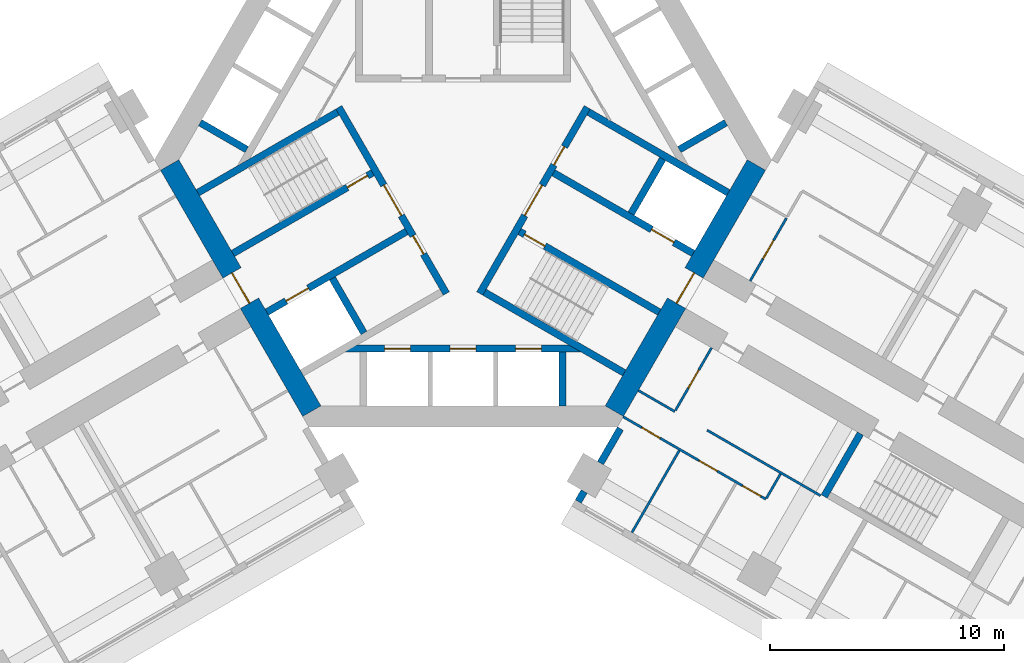
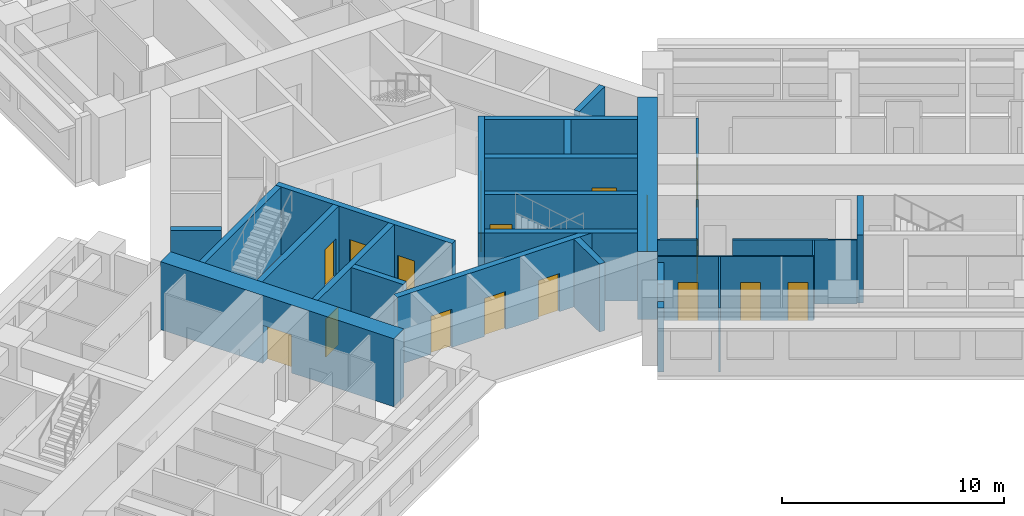
# One storey, part 7 of 16: 27 walls, 18 doors, 18 openings.
"""IFC4 building model written with IfcOpenShell, lengths in metres."""

from ifc_helpers import new_model, si_unit, direction, frame, frame_2d, origin, place, context, subcontext, project, spatial, rectangle, extrude, material, layer, layer_set, type_object, element, fill, save


model = new_model("IFC4")

# Units and contexts
model_context = context("Model", 3, precision=1e-05, world=origin(), true_north=direction((0.0, 1.0)))
body_context = subcontext(model_context, "Body", "Model", "MODEL_VIEW")
ifc_project = project(units=[si_unit("LENGTHUNIT", "METRE"), si_unit("AREAUNIT", "SQUARE_METRE"), si_unit("VOLUMEUNIT", "CUBIC_METRE"), si_unit("PLANEANGLEUNIT", "RADIAN"), si_unit("MASSUNIT", "GRAM", prefix="KILO")], contexts=[model_context])

# Site, building, storey
site_placement = place(None, origin())
site = spatial("IfcSite", under=ifc_project, at=site_placement, CompositionType="ELEMENT")
building_placement = place(site_placement, origin())
building = spatial("IfcBuilding", under=site, at=building_placement, Name="Impinga Residences", CompositionType="ELEMENT")
storey_placement = place(building_placement, frame((0.0, 0.0, 63.5)))
storey = spatial("IfcBuildingStorey", under=building, at=storey_placement, Name="L15", CompositionType="ELEMENT", Elevation=63.5)

# Walls
ifc_material_1 = material(Name="Terracotta rainscreen on blockwork", Category="masonry")
ifc_layer_1 = layer(ifc_material_1, 0.300048828125)
ifc_layer_set_1 = layer_set([ifc_layer_1], Name="EW1 external wall, terracotta rainscreen on blockwork 300")
wall_type_1 = type_object("IfcWallType", Name="EW1 external wall, terracotta rainscreen on blockwork 300", PredefinedType="SOLIDWALL", material=ifc_layer_set_1)
wall_1_placement = place(storey_placement, frame((4.929931640625, -14.624267578125, 0.0), z_axis=(0.0, 0.0, 1.0), x_axis=(0.499919672301, 0.866071776036, 0.0)))
element("IfcWall", 1, at=wall_1_placement, inside=storey, type_object=wall_type_1, Name="External wall EW1 L15", PredefinedType="SOLIDWALL", context=body_context, shape_type="SweptSolid", body=[
    extrude(rectangle(XDim=0.5, YDim=0.300048828125, at=frame_2d((0.25, 0.0))), origin(), (0.0, 0.0, 1.0), 3.530029296875),
])
wall_2_placement = place(storey_placement, frame((5.8798828125, -12.978759765625, 0.0), z_axis=(0.0, 0.0, 1.0), x_axis=(0.500062241894, 0.865989465428, 0.0)))
element("IfcWall", 2, at=wall_2_placement, inside=storey, type_object=wall_type_1, Name="External wall EW1 L15", PredefinedType="SOLIDWALL", context=body_context, shape_type="SweptSolid", body=[
    extrude(rectangle(XDim=1.699951171875, YDim=0.300048828125, at=frame_2d((0.85009765625, 0.0))), origin(), (0.0, 0.0, 1.0), 3.530029296875),
])

# Wall, opening, door
ifc_material_2 = material(Name="Gypsum board on steel studs", Category="steel")
ifc_layer_2 = layer(ifc_material_2, 0.10009765625)
ifc_layer_set_2 = layer_set([ifc_layer_2], Name="Gypsum board on steel studs")
wall_type_2 = type_object("IfcWallType", Name="IP1 partition 100", PredefinedType="PARTITIONING", material=ifc_layer_set_2)
wall_3_placement = place(storey_placement, frame((12.283935546875, -5.186767578125, 0.0), z_axis=(0.0, 0.0, 1.0), x_axis=(0.499967891604, 0.866043940782, 0.0)))
wall_3 = element("IfcWall", 3, at=wall_3_placement, inside=storey, type_object=wall_type_2, Name="Partition L15-EA1:IB1", PredefinedType="PARTITIONING", context=body_context, shape_type="SweptSolid", body=[
    extrude(rectangle(XDim=3.099853515625, YDim=0.10009765625, at=frame_2d((1.5498046875, 0.0))), origin(), (0.0, 0.0, 1.0), 3.530029296875),
])
opening_1_placement = place(wall_3_placement, frame((1.10009765625, 0.0, 0.0)))
opening_1 = element("IfcOpeningElement", 4, at=opening_1_placement, cuts=wall_3, Name="Opening D2", PredefinedType="OPENING", context=body_context, shape_type="SweptSolid", body=[
    extrude(rectangle(XDim=0.89990234375, YDim=2.10009765625, at=frame_2d((0.449951171875, 1.050048828125))), frame((0.0, 0.06005859375, 0.0), z_axis=(0.0, -1.0, 0.0), x_axis=(1.0, 0.0, 0.0)), (0.0, 0.0, 1.0), 0.1201171875),
])
ifc_material_3 = material(Name="Timber door set", Category="wood")
door_type_1 = type_object("IfcDoorType", Name="D2 internal door 900x2100", OperationType="SINGLE_SWING_LEFT", PredefinedType="DOOR", material=ifc_material_3)
door_1_placement = place(opening_1_placement, origin())
door_1 = element("IfcDoor", 5, at=door_1_placement, inside=storey, type_object=door_type_1, Name="Apartment L15-EA1 bathroom door", OperationType="SINGLE_SWING_LEFT", OverallHeight=2.10009765625, OverallWidth=0.89990234375, PredefinedType="DOOR", context=body_context, shape_type="SweptSolid", body=[
    extrude(rectangle(XDim=0.89990234375, YDim=2.10009765625, at=frame_2d((0.449951171875, 1.050048828125))), frame((0.0, 0.02490234375, 0.0), z_axis=(0.0, -1.0, 0.0), x_axis=(1.0, 0.0, 0.0)), (0.0, 0.0, 1.0), 0.050048828125),
])
fill(opening_1, door_1)

# Walls
wall_4_placement = place(storey_placement, frame((7.5, -9.872802734375, 0.0), z_axis=(0.0, 0.0, 1.0), x_axis=(0.866047807691, -0.499961193289, 0.0)))
element("IfcWall", 6, at=wall_4_placement, inside=storey, type_object=wall_type_2, Name="Partition L15-EF1:DIV0", PredefinedType="PARTITIONING", context=body_context, shape_type="SweptSolid", body=[
    extrude(rectangle(XDim=1.800048828125, YDim=0.10009765625, at=frame_2d((0.89990234375, 0.0))), origin(), (0.0, 0.0, 1.0), 3.530029296875),
])
wall_5_placement = place(storey_placement, frame((10.444580078125, -11.57275390625, 0.0), z_axis=(0.0, 0.0, 1.0), x_axis=(0.866015695474, -0.500016814911, 0.0)))
element("IfcWall", 7, at=wall_5_placement, inside=storey, type_object=wall_type_2, Name="Partition L15-EF1:DIV1", PredefinedType="PARTITIONING", context=body_context, shape_type="SweptSolid", body=[
    extrude(rectangle(XDim=5.599853515625, YDim=0.10009765625, at=frame_2d((2.7998046875, 0.0))), origin(), (0.0, 0.0, 1.0), 3.530029296875),
])

# Wall, openings, doors
wall_6_placement = place(storey_placement, frame((6.85009765625, -10.99853515625, 0.0), z_axis=(0.0, 0.0, 1.0), x_axis=(0.866031034943, -0.499990246421, 0.0)))
wall_6 = element("IfcWall", 8, at=wall_6_placement, inside=storey, type_object=wall_type_2, Name="Partition L15-EF1:STRIP", PredefinedType="PARTITIONING", context=body_context, shape_type="SweptSolid", body=[
    extrude(rectangle(XDim=7.050048828125, YDim=0.10009765625, at=frame_2d((3.52490234375, 0.0))), origin(), (0.0, 0.0, 1.0), 3.530029296875),
])
opening_2_placement = place(wall_6_placement, frame((0.925048828125, 0.0, 0.0)))
opening_2 = element("IfcOpeningElement", 9, at=opening_2_placement, cuts=wall_6, Name="Opening D2", PredefinedType="OPENING", context=body_context, shape_type="SweptSolid", body=[
    extrude(rectangle(XDim=0.89990234375, YDim=2.10009765625, at=frame_2d((0.449951171875, 1.050048828125))), frame((0.0, 0.06005859375, 0.0), z_axis=(0.0, -1.0, 0.0), x_axis=(1.0, 0.0, 0.0)), (0.0, 0.0, 1.0), 0.1201171875),
])
opening_3_placement = place(wall_6_placement, frame((3.75, 0.0, 0.0)))
opening_3 = element("IfcOpeningElement", 10, at=opening_3_placement, cuts=wall_6, Name="Opening D2", PredefinedType="OPENING", context=body_context, shape_type="SweptSolid", body=[
    extrude(rectangle(XDim=0.89990234375, YDim=2.10009765625, at=frame_2d((0.449951171875, 1.050048828125))), frame((0.0, 0.06005859375, 0.0), z_axis=(0.0, -1.0, 0.0), x_axis=(1.0, 0.0, 0.0)), (0.0, 0.0, 1.0), 0.1201171875),
])
opening_4_placement = place(wall_6_placement, frame((5.89990234375, 0.0, 0.0)))
opening_4 = element("IfcOpeningElement", 11, at=opening_4_placement, cuts=wall_6, Name="Opening D2", PredefinedType="OPENING", context=body_context, shape_type="SweptSolid", body=[
    extrude(rectangle(XDim=0.89990234375, YDim=2.10009765625, at=frame_2d((0.449951171875, 1.050048828125))), frame((0.0, 0.06005859375, 0.0), z_axis=(0.0, -1.0, 0.0), x_axis=(1.0, 0.0, 0.0)), (0.0, 0.0, 1.0), 0.1201171875),
])
door_2_placement = place(opening_2_placement, origin())
door_2 = element("IfcDoor", 12, at=door_2_placement, inside=storey, type_object=door_type_1, Name="Apartment L15-EF1 room door", OperationType="SINGLE_SWING_LEFT", OverallHeight=2.10009765625, OverallWidth=0.89990234375, PredefinedType="DOOR", context=body_context, shape_type="SweptSolid", body=[
    extrude(rectangle(XDim=0.89990234375, YDim=2.10009765625, at=frame_2d((0.449951171875, 1.050048828125))), frame((0.0, 0.02490234375, 0.0), z_axis=(0.0, -1.0, 0.0), x_axis=(1.0, 0.0, 0.0)), (0.0, 0.0, 1.0), 0.050048828125),
])
fill(opening_2, door_2)
door_3_placement = place(opening_3_placement, origin())
door_3 = element("IfcDoor", 13, at=door_3_placement, inside=storey, type_object=door_type_1, Name="Apartment L15-EF1 room door", OperationType="SINGLE_SWING_RIGHT", OverallHeight=2.10009765625, OverallWidth=0.89990234375, PredefinedType="DOOR", context=body_context, shape_type="SweptSolid", body=[
    extrude(rectangle(XDim=0.89990234375, YDim=2.10009765625, at=frame_2d((0.449951171875, 1.050048828125))), frame((0.0, 0.02490234375, 0.0), z_axis=(0.0, -1.0, 0.0), x_axis=(1.0, 0.0, 0.0)), (0.0, 0.0, 1.0), 0.050048828125),
])
fill(opening_3, door_3)
door_4_placement = place(opening_4_placement, origin())
door_4 = element("IfcDoor", 14, at=door_4_placement, inside=storey, type_object=door_type_1, Name="Apartment L15-EF1 room door", OperationType="SINGLE_SWING_RIGHT", OverallHeight=2.10009765625, OverallWidth=0.89990234375, PredefinedType="DOOR", context=body_context, shape_type="SweptSolid", body=[
    extrude(rectangle(XDim=0.89990234375, YDim=2.10009765625, at=frame_2d((0.449951171875, 1.050048828125))), frame((0.0, 0.02490234375, 0.0), z_axis=(0.0, -1.0, 0.0), x_axis=(1.0, 0.0, 0.0)), (0.0, 0.0, 1.0), 0.050048828125),
])
fill(opening_4, door_4)

# Wall
wall_7_placement = place(storey_placement, frame((13.58056640625, -13.44091796875, 0.0), z_axis=(0.0, 0.0, 1.0), x_axis=(-0.500033551112, -0.866006032174, 0.0)))
element("IfcWall", 15, at=wall_7_placement, inside=storey, type_object=wall_type_2, Name="Partition L15-EF1:SE1", PredefinedType="PARTITIONING", context=body_context, shape_type="SweptSolid", body=[
    extrude(rectangle(XDim=1.2001953125, YDim=0.10009765625, at=frame_2d((0.60009765625, 0.0))), origin(), (0.0, 0.0, 1.0), 3.530029296875),
])

# Wall, opening, door
wall_8_placement = place(storey_placement, frame((10.6337890625, -8.044677734375, 0.0), z_axis=(0.0, 0.0, 1.0), x_axis=(-0.49999285859, -0.86602952684, 0.0)))
wall_8 = element("IfcWall", 16, at=wall_8_placement, inside=storey, type_object=wall_type_2, Name="Partition L15-EF1:IB1", PredefinedType="PARTITIONING", context=body_context, shape_type="SweptSolid", body=[
    extrude(rectangle(XDim=3.10009765625, YDim=0.10009765625, at=frame_2d((1.550048828125, 0.0))), origin(), (0.0, 0.0, 1.0), 3.530029296875),
])
opening_5_placement = place(wall_8_placement, frame((1.10009765625, 0.0, 0.0)))
opening_5 = element("IfcOpeningElement", 17, at=opening_5_placement, cuts=wall_8, Name="Opening D2", PredefinedType="OPENING", context=body_context, shape_type="SweptSolid", body=[
    extrude(rectangle(XDim=0.89990234375, YDim=2.10009765625, at=frame_2d((0.449951171875, 1.050048828125))), frame((0.0, 0.06005859375, 0.0), z_axis=(0.0, -1.0, 0.0), x_axis=(1.0, 0.0, 0.0)), (0.0, 0.0, 1.0), 0.1201171875),
])
door_5_placement = place(opening_5_placement, origin())
door_5 = element("IfcDoor", 18, at=door_5_placement, inside=storey, type_object=door_type_1, Name="Apartment L15-EF1 bathroom door", OperationType="SINGLE_SWING_LEFT", OverallHeight=2.10009765625, OverallWidth=0.89990234375, PredefinedType="DOOR", context=body_context, shape_type="SweptSolid", body=[
    extrude(rectangle(XDim=0.89990234375, YDim=2.10009765625, at=frame_2d((0.449951171875, 1.050048828125))), frame((0.0, 0.02490234375, 0.0), z_axis=(0.0, -1.0, 0.0), x_axis=(1.0, 0.0, 0.0)), (0.0, 0.0, 1.0), 0.050048828125),
])
fill(opening_5, door_5)

# Walls
wall_9_placement = place(storey_placement, frame((9.249755859375, -12.44189453125, 0.0), z_axis=(0.0, 0.0, 1.0), x_axis=(-0.499990325971, -0.866030989016, 0.0)))
element("IfcWall", 19, at=wall_9_placement, inside=storey, type_object=wall_type_2, Name="Partition L15-EF1:OB1", PredefinedType="PARTITIONING", context=body_context, shape_type="SweptSolid", body=[
    extrude(rectangle(XDim=4.0498046875, YDim=0.10009765625, at=frame_2d((2.02490234375, 0.0))), origin(), (0.0, 0.0, 1.0), 3.530029296875),
])
ifc_material_4 = material(Name="Concrete C60/75", Category="concrete")
ifc_layer_3 = layer(ifc_material_4, 0.300048828125)
ifc_layer_set_3 = layer_set([ifc_layer_3], Name="Concrete C60/75")
wall_type_3 = type_object("IfcWallType", Name="SE1 wing stair enclosure wall 300", PredefinedType="SOLIDWALL", material=ifc_layer_set_3)
wall_10_placement = place(storey_placement, frame((16.9990234375, -11.7197265625, 0.0), z_axis=(0.0, 0.0, 1.0), x_axis=(-0.499967891604, -0.866043940782, 0.0)))
element("IfcWall", 20, at=wall_10_placement, inside=storey, type_object=wall_type_3, Name="Stair enclosure wall SE1 E END0 L15", PredefinedType="SOLIDWALL", context=body_context, shape_type="SweptSolid", body=[
    extrude(rectangle(XDim=3.099853515625, YDim=0.300048828125, at=frame_2d((1.5498046875, 0.0))), origin(), (0.0, 0.0, 1.0), 3.75),
])

# Wall, opening, door
ifc_material_5 = material(Name="Concrete C70/85", Category="concrete")
ifc_layer_4 = layer(ifc_material_5, 0.89990234375)
ifc_layer_set_4 = layer_set([ifc_layer_4], Name="Concrete C70/85")
wall_type_4 = type_object("IfcWallType", Name="SW1 core wall 900", PredefinedType="SHEAR", material=ifc_layer_set_4)
wall_11_placement = place(storey_placement, frame((-6.47021484375, -10.756591796875, 0.0), z_axis=(0.0, 0.0, 1.0), x_axis=(-0.499997612506, 0.8660267822, 0.0)))
wall_11 = element("IfcWall", 21, at=wall_11_placement, inside=storey, type_object=wall_type_4, Name="Core wall SW1 W:FACE L15", PredefinedType="SHEAR", context=body_context, shape_type="SweptSolid", body=[
    extrude(rectangle(XDim=12.16064453125, YDim=0.89990234375, at=frame_2d((6.080322265625, 0.0))), origin(), (0.0, 0.0, 1.0), 3.75),
])
opening_6_placement = place(wall_11_placement, frame((5.330322265625, 0.0, 0.0)))
opening_6 = element("IfcOpeningElement", 22, at=opening_6_placement, cuts=wall_11, Name="Opening D4", PredefinedType="OPENING", context=body_context, shape_type="SweptSolid", body=[
    extrude(rectangle(XDim=1.5, YDim=2.10009765625, at=frame_2d((0.75, 1.050048828125))), frame((0.0, 0.4599609375, 0.0), z_axis=(0.0, -1.0, 0.0), x_axis=(1.0, 0.0, 0.0)), (0.0, 0.0, 1.0), 0.919921875),
])
door_type_2 = type_object("IfcDoorType", Name="D4 lobby door pair 1500x2100", OperationType="DOUBLE_DOOR_DOUBLE_SWING", PredefinedType="DOOR", material=ifc_material_3)
door_6_placement = place(opening_6_placement, origin())
door_6 = element("IfcDoor", 23, at=door_6_placement, inside=storey, type_object=door_type_2, Name="Lobby door W", OperationType="DOUBLE_DOOR_DOUBLE_SWING", OverallHeight=2.10009765625, OverallWidth=1.5, PredefinedType="DOOR", context=body_context, shape_type="SweptSolid", body=[
    extrude(rectangle(XDim=1.5, YDim=2.10009765625, at=frame_2d((0.75, 1.050048828125))), frame((0.0, 0.02490234375, 0.0), z_axis=(0.0, -1.0, 0.0), x_axis=(1.0, 0.0, 0.0)), (0.0, 0.0, 1.0), 0.050048828125),
])
fill(opening_6, door_6)

wall_12_placement = place(storey_placement, frame((12.550537109375, -0.22509765625, 0.0), z_axis=(0.0, 0.0, 1.0), x_axis=(-0.499997612506, -0.8660267822, 0.0)))
wall_12 = element("IfcWall", 24, at=wall_12_placement, inside=storey, type_object=wall_type_4, Name="Core wall SW1 E:FACE L15", PredefinedType="SHEAR", context=body_context, shape_type="SweptSolid", body=[
    extrude(rectangle(XDim=12.16064453125, YDim=0.89990234375, at=frame_2d((6.080322265625, 0.0))), origin(), (0.0, 0.0, 1.0), 3.75),
])
opening_7_placement = place(wall_12_placement, frame((5.330322265625, 0.0, 0.0)))
opening_7 = element("IfcOpeningElement", 25, at=opening_7_placement, cuts=wall_12, Name="Opening D4", PredefinedType="OPENING", context=body_context, shape_type="SweptSolid", body=[
    extrude(rectangle(XDim=1.5, YDim=2.10009765625, at=frame_2d((0.75, 1.050048828125))), frame((0.0, 0.4599609375, 0.0), z_axis=(0.0, -1.0, 0.0), x_axis=(1.0, 0.0, 0.0)), (0.0, 0.0, 1.0), 0.919921875),
])
door_7_placement = place(opening_7_placement, origin())
door_7 = element("IfcDoor", 26, at=door_7_placement, inside=storey, type_object=door_type_2, Name="Lobby door E", OperationType="DOUBLE_DOOR_DOUBLE_SWING", OverallHeight=2.10009765625, OverallWidth=1.5, PredefinedType="DOOR", context=body_context, shape_type="SweptSolid", body=[
    extrude(rectangle(XDim=1.5, YDim=2.10009765625, at=frame_2d((0.75, 1.050048828125))), frame((0.0, 0.02490234375, 0.0), z_axis=(0.0, -1.0, 0.0), x_axis=(1.0, 0.0, 0.0)), (0.0, 0.0, 1.0), 0.050048828125),
])
fill(opening_7, door_7)

# Wall, openings, doors
ifc_layer_5 = layer(ifc_material_5, 0.300048828125)
ifc_layer_set_5 = layer_set([ifc_layer_5], Name="Concrete C70/85")
wall_type_5 = type_object("IfcWallType", Name="SW5 core inner wall, stairs, shafts and lobbies 300", PredefinedType="SHEAR", material=ifc_layer_set_5)
wall_13_placement = place(storey_placement, frame((-0.7138671875, -5.7236328125, 0.0), z_axis=(0.0, 0.0, 1.0), x_axis=(-0.499995050369, 0.866028261437, 0.0)))
wall_13 = element("IfcWall", 27, at=wall_13_placement, inside=storey, type_object=wall_type_5, Name="Core wall SW5 W:ZONE L15", PredefinedType="SHEAR", context=body_context, shape_type="SweptSolid", body=[
    extrude(rectangle(XDim=9.19970703125, YDim=0.300048828125, at=frame_2d((4.599853515625, 0.0))), origin(), (0.0, 0.0, 1.0), 3.75),
])
opening_8_placement = place(wall_13_placement, frame((3.85009765625, 0.0, 0.0)))
opening_8 = element("IfcOpeningElement", 28, at=opening_8_placement, cuts=wall_13, Name="Opening D4", PredefinedType="OPENING", context=body_context, shape_type="SweptSolid", body=[
    extrude(rectangle(XDim=1.5, YDim=2.10009765625, at=frame_2d((0.75, 1.050048828125))), frame((0.0, 0.159912109375, 0.0), z_axis=(0.0, -1.0, 0.0), x_axis=(1.0, 0.0, 0.0)), (0.0, 0.0, 1.0), 0.320068359375),
])
opening_9_placement = place(wall_13_placement, frame((1.949951171875, 0.0, 0.0)))
opening_9 = element("IfcOpeningElement", 29, at=opening_9_placement, cuts=wall_13, Name="Opening D6", PredefinedType="OPENING", context=body_context, shape_type="SweptSolid", body=[
    extrude(rectangle(XDim=0.89990234375, YDim=2.10009765625, at=frame_2d((0.449951171875, 1.050048828125))), frame((0.0, 0.159912109375, 0.0), z_axis=(0.0, -1.0, 0.0), x_axis=(1.0, 0.0, 0.0)), (0.0, 0.0, 1.0), 0.320068359375),
])
door_8_placement = place(opening_8_placement, origin())
door_8 = element("IfcDoor", 30, at=door_8_placement, inside=storey, type_object=door_type_2, Name="Firefighting lobby door W", OperationType="DOUBLE_DOOR_DOUBLE_SWING", OverallHeight=2.10009765625, OverallWidth=1.5, PredefinedType="DOOR", context=body_context, shape_type="SweptSolid", body=[
    extrude(rectangle(XDim=1.5, YDim=2.10009765625, at=frame_2d((0.75, 1.050048828125))), frame((0.0, 0.02490234375, 0.0), z_axis=(0.0, -1.0, 0.0), x_axis=(1.0, 0.0, 0.0)), (0.0, 0.0, 1.0), 0.050048828125),
])
fill(opening_8, door_8)
door_type_3 = type_object("IfcDoorType", Name="D6 riser and store door 900x2100", OperationType="SINGLE_SWING_LEFT", PredefinedType="DOOR", material=ifc_material_3)
door_9_placement = place(opening_9_placement, origin())
door_9 = element("IfcDoor", 31, at=door_9_placement, inside=storey, type_object=door_type_3, Name="Riser door W", OperationType="SINGLE_SWING_LEFT", OverallHeight=2.10009765625, OverallWidth=0.89990234375, PredefinedType="DOOR", context=body_context, shape_type="SweptSolid", body=[
    extrude(rectangle(XDim=0.89990234375, YDim=2.10009765625, at=frame_2d((0.449951171875, 1.050048828125))), frame((0.0, 0.02490234375, 0.0), z_axis=(0.0, -1.0, 0.0), x_axis=(1.0, 0.0, 0.0)), (0.0, 0.0, 1.0), 0.050048828125),
])
fill(opening_9, door_9)

# Wall, opening, door
wall_14_placement = place(storey_placement, frame((-3.86865234375, -0.559326171875, 0.0), z_axis=(0.0, 0.0, 1.0), x_axis=(-0.86602711848, -0.499997030048, 0.0)))
wall_14 = element("IfcWall", 32, at=wall_14_placement, inside=storey, type_object=wall_type_5, Name="Core wall SW5 W:ST-IN L15", PredefinedType="SHEAR", context=body_context, shape_type="SweptSolid", body=[
    extrude(rectangle(XDim=6.9013671875, YDim=0.300048828125, at=frame_2d((3.45068359375, 0.0))), origin(), (0.0, 0.0, 1.0), 3.75),
])
opening_10_placement = place(wall_14_placement, frame((0.25, 0.0, 0.0)))
opening_10 = element("IfcOpeningElement", 33, at=opening_10_placement, cuts=wall_14, Name="Opening D5", PredefinedType="OPENING", context=body_context, shape_type="SweptSolid", body=[
    extrude(rectangle(XDim=1.0, YDim=2.10009765625, at=frame_2d((0.5, 1.050048828125))), frame((0.0, 0.159912109375, 0.0), z_axis=(0.0, -1.0, 0.0), x_axis=(1.0, 0.0, 0.0)), (0.0, 0.0, 1.0), 0.320068359375),
])
door_type_4 = type_object("IfcDoorType", Name="D5 stair door 1000x2100", OperationType="SINGLE_SWING_LEFT", PredefinedType="DOOR", material=ifc_material_3)
door_10_placement = place(opening_10_placement, origin())
door_10 = element("IfcDoor", 34, at=door_10_placement, inside=storey, type_object=door_type_4, Name="Stair door W", OperationType="SINGLE_SWING_LEFT", OverallHeight=2.10009765625, OverallWidth=1.0, PredefinedType="DOOR", context=body_context, shape_type="SweptSolid", body=[
    extrude(rectangle(XDim=1.0, YDim=2.10009765625, at=frame_2d((0.5, 1.050048828125))), frame((0.0, 0.02490234375, 0.0), z_axis=(0.0, -1.0, 0.0), x_axis=(1.0, 0.0, 0.0)), (0.0, 0.0, 1.0), 0.050048828125),
])
fill(opening_10, door_10)

# Wall
wall_15_placement = place(storey_placement, frame((-5.36865234375, 2.038818359375, 0.0), z_axis=(0.0, 0.0, 1.0), x_axis=(-0.86602711848, -0.499997030048, 0.0)))
element("IfcWall", 35, at=wall_15_placement, inside=storey, type_object=wall_type_5, Name="Core wall SW5 W:ST-OUT L15", PredefinedType="SHEAR", context=body_context, shape_type="SweptSolid", body=[
    extrude(rectangle(XDim=6.9013671875, YDim=0.300048828125, at=frame_2d((3.45068359375, 0.0))), origin(), (0.0, 0.0, 1.0), 3.75),
])

# Wall, opening, door
wall_16_placement = place(storey_placement, frame((-2.418701171875, -3.07080078125, 0.0), z_axis=(0.0, 0.0, 1.0), x_axis=(-0.86602711848, -0.499997030048, 0.0)))
wall_16 = element("IfcWall", 36, at=wall_16_placement, inside=storey, type_object=wall_type_5, Name="Core wall SW5 W:FF-IN L15", PredefinedType="SHEAR", context=body_context, shape_type="SweptSolid", body=[
    extrude(rectangle(XDim=6.9013671875, YDim=0.300048828125, at=frame_2d((3.45068359375, 0.0))), origin(), (0.0, 0.0, 1.0), 3.75),
])
opening_11_placement = place(wall_16_placement, frame((4.85009765625, 0.0, 0.0)))
opening_11 = element("IfcOpeningElement", 37, at=opening_11_placement, cuts=wall_16, Name="Opening LD2", PredefinedType="OPENING", context=body_context, shape_type="SweptSolid", body=[
    extrude(rectangle(XDim=1.10009765625, YDim=2.10009765625, at=frame_2d((0.550048828125, 1.050048828125))), frame((0.0, 0.159912109375, 0.0), z_axis=(0.0, -1.0, 0.0), x_axis=(1.0, 0.0, 0.0)), (0.0, 0.0, 1.0), 0.320068359375),
])
ifc_material_6 = material(Name="Steel lift landing door", Category="steel")
door_type_5 = type_object("IfcDoorType", Name="LD2 firefighting lift landing door 1100x2100", OperationType="DOUBLE_DOOR_SLIDING", PredefinedType="DOOR", material=ifc_material_6)
door_11_placement = place(opening_11_placement, origin())
door_11 = element("IfcDoor", 38, at=door_11_placement, inside=storey, type_object=door_type_5, Name="Firefighting lift landing door F2", OperationType="DOUBLE_DOOR_SLIDING", OverallHeight=2.10009765625, OverallWidth=1.10009765625, PredefinedType="DOOR", context=body_context, shape_type="SweptSolid", body=[
    extrude(rectangle(XDim=1.10009765625, YDim=2.10009765625, at=frame_2d((0.550048828125, 1.050048828125))), frame((0.0, 0.02490234375, 0.0), z_axis=(0.0, -1.0, 0.0), x_axis=(1.0, 0.0, 0.0)), (0.0, 0.0, 1.0), 0.050048828125),
])
fill(opening_11, door_11)

# Wall
wall_17_placement = place(storey_placement, frame((-4.2412109375, -7.413818359375, 0.0), z_axis=(0.0, 0.0, 1.0), x_axis=(-0.500048589285, 0.86599734893, 0.0)))
element("IfcWall", 39, at=wall_17_placement, inside=storey, type_object=wall_type_5, Name="Core wall SW5 W:FF-RS L15", PredefinedType="SHEAR", context=body_context, shape_type="SweptSolid", body=[
    extrude(rectangle(XDim=2.699951171875, YDim=0.300048828125, at=frame_2d((1.35009765625, 0.0))), origin(), (0.0, 0.0, 1.0), 3.75),
])

# Wall, openings, doors
wall_18_placement = place(storey_placement, frame((5.313720703125, 2.24365234375, 0.0), z_axis=(0.0, 0.0, 1.0), x_axis=(-0.499995050369, -0.866028261437, 0.0)))
wall_18 = element("IfcWall", 40, at=wall_18_placement, inside=storey, type_object=wall_type_5, Name="Core wall SW5 E:ZONE L15", PredefinedType="SHEAR", context=body_context, shape_type="SweptSolid", body=[
    extrude(rectangle(XDim=9.19970703125, YDim=0.300048828125, at=frame_2d((4.599853515625, 0.0))), origin(), (0.0, 0.0, 1.0), 3.75),
])
opening_12_placement = place(wall_18_placement, frame((3.85009765625, 0.0, 0.0)))
opening_12 = element("IfcOpeningElement", 41, at=opening_12_placement, cuts=wall_18, Name="Opening D4", PredefinedType="OPENING", context=body_context, shape_type="SweptSolid", body=[
    extrude(rectangle(XDim=1.5, YDim=2.10009765625, at=frame_2d((0.75, 1.050048828125))), frame((0.0, 0.159912109375, 0.0), z_axis=(0.0, -1.0, 0.0), x_axis=(1.0, 0.0, 0.0)), (0.0, 0.0, 1.0), 0.320068359375),
])
opening_13_placement = place(wall_18_placement, frame((1.949951171875, 0.0, 0.0)))
opening_13 = element("IfcOpeningElement", 42, at=opening_13_placement, cuts=wall_18, Name="Opening D6", PredefinedType="OPENING", context=body_context, shape_type="SweptSolid", body=[
    extrude(rectangle(XDim=0.89990234375, YDim=2.10009765625, at=frame_2d((0.449951171875, 1.050048828125))), frame((0.0, 0.159912109375, 0.0), z_axis=(0.0, -1.0, 0.0), x_axis=(1.0, 0.0, 0.0)), (0.0, 0.0, 1.0), 0.320068359375),
])
door_12_placement = place(opening_12_placement, origin())
door_12 = element("IfcDoor", 43, at=door_12_placement, inside=storey, type_object=door_type_2, Name="Firefighting lobby door E", OperationType="DOUBLE_DOOR_DOUBLE_SWING", OverallHeight=2.10009765625, OverallWidth=1.5, PredefinedType="DOOR", context=body_context, shape_type="SweptSolid", body=[
    extrude(rectangle(XDim=1.5, YDim=2.10009765625, at=frame_2d((0.75, 1.050048828125))), frame((0.0, 0.02490234375, 0.0), z_axis=(0.0, -1.0, 0.0), x_axis=(1.0, 0.0, 0.0)), (0.0, 0.0, 1.0), 0.050048828125),
])
fill(opening_12, door_12)
door_13_placement = place(opening_13_placement, origin())
door_13 = element("IfcDoor", 44, at=door_13_placement, inside=storey, type_object=door_type_3, Name="Riser door E", OperationType="SINGLE_SWING_LEFT", OverallHeight=2.10009765625, OverallWidth=0.89990234375, PredefinedType="DOOR", context=body_context, shape_type="SweptSolid", body=[
    extrude(rectangle(XDim=0.89990234375, YDim=2.10009765625, at=frame_2d((0.449951171875, 1.050048828125))), frame((0.0, 0.02490234375, 0.0), z_axis=(0.0, -1.0, 0.0), x_axis=(1.0, 0.0, 0.0)), (0.0, 0.0, 1.0), 0.050048828125),
])
fill(opening_13, door_13)

# Wall, opening, door
wall_19_placement = place(storey_placement, frame((2.418701171875, -3.07080078125, 0.0), z_axis=(0.0, 0.0, 1.0), x_axis=(0.86602711848, -0.499997030048, 0.0)))
wall_19 = element("IfcWall", 45, at=wall_19_placement, inside=storey, type_object=wall_type_5, Name="Core wall SW5 E:ST-IN L15", PredefinedType="SHEAR", context=body_context, shape_type="SweptSolid", body=[
    extrude(rectangle(XDim=6.9013671875, YDim=0.300048828125, at=frame_2d((3.45068359375, 0.0))), origin(), (0.0, 0.0, 1.0), 3.75),
])
opening_14_placement = place(wall_19_placement, frame((0.25, 0.0, 0.0)))
opening_14 = element("IfcOpeningElement", 46, at=opening_14_placement, cuts=wall_19, Name="Opening D5", PredefinedType="OPENING", context=body_context, shape_type="SweptSolid", body=[
    extrude(rectangle(XDim=1.0, YDim=2.10009765625, at=frame_2d((0.5, 1.050048828125))), frame((0.0, 0.159912109375, 0.0), z_axis=(0.0, -1.0, 0.0), x_axis=(1.0, 0.0, 0.0)), (0.0, 0.0, 1.0), 0.320068359375),
])
door_14_placement = place(opening_14_placement, origin())
door_14 = element("IfcDoor", 47, at=door_14_placement, inside=storey, type_object=door_type_4, Name="Stair door E", OperationType="SINGLE_SWING_LEFT", OverallHeight=2.10009765625, OverallWidth=1.0, PredefinedType="DOOR", context=body_context, shape_type="SweptSolid", body=[
    extrude(rectangle(XDim=1.0, YDim=2.10009765625, at=frame_2d((0.5, 1.050048828125))), frame((0.0, 0.02490234375, 0.0), z_axis=(0.0, -1.0, 0.0), x_axis=(1.0, 0.0, 0.0)), (0.0, 0.0, 1.0), 0.050048828125),
])
fill(opening_14, door_14)

# Wall
wall_20_placement = place(storey_placement, frame((0.918701171875, -5.668701171875, 0.0), z_axis=(0.0, 0.0, 1.0), x_axis=(0.866011800373, -0.500023561059, 0.0)))
element("IfcWall", 48, at=wall_20_placement, inside=storey, type_object=wall_type_5, Name="Core wall SW5 E:ST-OUT L15", PredefinedType="SHEAR", context=body_context, shape_type="SweptSolid", body=[
    extrude(rectangle(XDim=6.901611328125, YDim=0.300048828125, at=frame_2d((3.45068359375, 0.0))), origin(), (0.0, 0.0, 1.0), 3.75),
])

# Wall, opening, door
wall_21_placement = place(storey_placement, frame((3.86865234375, -0.559326171875, 0.0), z_axis=(0.0, 0.0, 1.0), x_axis=(0.86602711848, -0.499997030048, 0.0)))
wall_21 = element("IfcWall", 49, at=wall_21_placement, inside=storey, type_object=wall_type_5, Name="Core wall SW5 E:FF-IN L15", PredefinedType="SHEAR", context=body_context, shape_type="SweptSolid", body=[
    extrude(rectangle(XDim=6.9013671875, YDim=0.300048828125, at=frame_2d((3.45068359375, 0.0))), origin(), (0.0, 0.0, 1.0), 3.75),
])
opening_15_placement = place(wall_21_placement, frame((4.85009765625, 0.0, 0.0)))
opening_15 = element("IfcOpeningElement", 50, at=opening_15_placement, cuts=wall_21, Name="Opening LD2", PredefinedType="OPENING", context=body_context, shape_type="SweptSolid", body=[
    extrude(rectangle(XDim=1.10009765625, YDim=2.10009765625, at=frame_2d((0.550048828125, 1.050048828125))), frame((0.0, 0.159912109375, 0.0), z_axis=(0.0, -1.0, 0.0), x_axis=(1.0, 0.0, 0.0)), (0.0, 0.0, 1.0), 0.320068359375),
])
door_15_placement = place(opening_15_placement, origin())
door_15 = element("IfcDoor", 51, at=door_15_placement, inside=storey, type_object=door_type_5, Name="Firefighting lift landing door F3", OperationType="DOUBLE_DOOR_SLIDING", OverallHeight=2.10009765625, OverallWidth=1.10009765625, PredefinedType="DOOR", context=body_context, shape_type="SweptSolid", body=[
    extrude(rectangle(XDim=1.10009765625, YDim=2.10009765625, at=frame_2d((0.550048828125, 1.050048828125))), frame((0.0, 0.02490234375, 0.0), z_axis=(0.0, -1.0, 0.0), x_axis=(1.0, 0.0, 0.0)), (0.0, 0.0, 1.0), 0.050048828125),
])
fill(opening_15, door_15)

# Walls
wall_22_placement = place(storey_placement, frame((5.36865234375, 2.038818359375, 0.0), z_axis=(0.0, 0.0, 1.0), x_axis=(0.86602711848, -0.499997030048, 0.0)))
element("IfcWall", 52, at=wall_22_placement, inside=storey, type_object=wall_type_5, Name="Core wall SW5 E:FF-OUT L15", PredefinedType="SHEAR", context=body_context, shape_type="SweptSolid", body=[
    extrude(rectangle(XDim=6.9013671875, YDim=0.300048828125, at=frame_2d((3.45068359375, 0.0))), origin(), (0.0, 0.0, 1.0), 3.75),
])
wall_23_placement = place(storey_placement, frame((8.541259765625, 0.033935546875, 0.0), z_axis=(0.0, 0.0, 1.0), x_axis=(-0.50000943426, -0.866019956843, 0.0)))
element("IfcWall", 53, at=wall_23_placement, inside=storey, type_object=wall_type_5, Name="Core wall SW5 E:FF-RS L15", PredefinedType="SHEAR", context=body_context, shape_type="SweptSolid", body=[
    extrude(rectangle(XDim=2.7001953125, YDim=0.300048828125, at=frame_2d((1.35009765625, 0.0))), origin(), (0.0, 0.0, 1.0), 3.75),
])

# Wall, openings, doors
wall_24_placement = place(storey_placement, frame((5.09765625, -8.08154296875, 0.0), z_axis=(0.0, 0.0, 1.0), x_axis=(-1.0, 0.0, 0.0)))
wall_24 = element("IfcWall", 54, at=wall_24_placement, inside=storey, type_object=wall_type_5, Name="Core wall SW5 N:BANK-FRONT L15", PredefinedType="SHEAR", context=body_context, shape_type="SweptSolid", body=[
    extrude(rectangle(XDim=10.1953125, YDim=0.300048828125, at=frame_2d((5.09765625, 0.0))), origin(), (0.0, 0.0, 1.0), 3.75),
])
opening_16_placement = place(wall_24_placement, frame((1.74755859375, 0.0, 0.0)))
opening_16 = element("IfcOpeningElement", 55, at=opening_16_placement, cuts=wall_24, Name="Opening LD1", PredefinedType="OPENING", context=body_context, shape_type="SweptSolid", body=[
    extrude(rectangle(XDim=1.10009765625, YDim=2.10009765625, at=frame_2d((0.550048828125, 1.050048828125))), frame((0.0, 0.159912109375, 0.0), z_axis=(0.0, -1.0, 0.0), x_axis=(1.0, 0.0, 0.0)), (0.0, 0.0, 1.0), 0.320068359375),
])
opening_17_placement = place(wall_24_placement, frame((4.547607421875, 0.0, 0.0)))
opening_17 = element("IfcOpeningElement", 56, at=opening_17_placement, cuts=wall_24, Name="Opening LD1", PredefinedType="OPENING", context=body_context, shape_type="SweptSolid", body=[
    extrude(rectangle(XDim=1.10009765625, YDim=2.10009765625, at=frame_2d((0.550048828125, 1.050048828125))), frame((0.0, 0.159912109375, 0.0), z_axis=(0.0, -1.0, 0.0), x_axis=(1.0, 0.0, 0.0)), (0.0, 0.0, 1.0), 0.320068359375),
])
opening_18_placement = place(wall_24_placement, frame((7.34765625, 0.0, 0.0)))
opening_18 = element("IfcOpeningElement", 57, at=opening_18_placement, cuts=wall_24, Name="Opening LD1", PredefinedType="OPENING", context=body_context, shape_type="SweptSolid", body=[
    extrude(rectangle(XDim=1.10009765625, YDim=2.10009765625, at=frame_2d((0.550048828125, 1.050048828125))), frame((0.0, 0.159912109375, 0.0), z_axis=(0.0, -1.0, 0.0), x_axis=(1.0, 0.0, 0.0)), (0.0, 0.0, 1.0), 0.320068359375),
])
door_type_6 = type_object("IfcDoorType", Name="LD1 passenger lift landing door 1100x2100", OperationType="DOUBLE_DOOR_SLIDING", PredefinedType="DOOR", material=ifc_material_6)
door_16_placement = place(opening_16_placement, origin())
door_16 = element("IfcDoor", 58, at=door_16_placement, inside=storey, type_object=door_type_6, Name="Lift landing door P1", OperationType="DOUBLE_DOOR_SLIDING", OverallHeight=2.10009765625, OverallWidth=1.10009765625, PredefinedType="DOOR", context=body_context, shape_type="SweptSolid", body=[
    extrude(rectangle(XDim=1.10009765625, YDim=2.10009765625, at=frame_2d((0.550048828125, 1.050048828125))), frame((0.0, 0.02490234375, 0.0), z_axis=(0.0, -1.0, 0.0), x_axis=(1.0, 0.0, 0.0)), (0.0, 0.0, 1.0), 0.050048828125),
])
fill(opening_16, door_16)
door_17_placement = place(opening_17_placement, origin())
door_17 = element("IfcDoor", 59, at=door_17_placement, inside=storey, type_object=door_type_6, Name="Lift landing door P2", OperationType="DOUBLE_DOOR_SLIDING", OverallHeight=2.10009765625, OverallWidth=1.10009765625, PredefinedType="DOOR", context=body_context, shape_type="SweptSolid", body=[
    extrude(rectangle(XDim=1.10009765625, YDim=2.10009765625, at=frame_2d((0.550048828125, 1.050048828125))), frame((0.0, 0.02490234375, 0.0), z_axis=(0.0, -1.0, 0.0), x_axis=(1.0, 0.0, 0.0)), (0.0, 0.0, 1.0), 0.050048828125),
])
fill(opening_17, door_17)
door_18_placement = place(opening_18_placement, origin())
door_18 = element("IfcDoor", 60, at=door_18_placement, inside=storey, type_object=door_type_6, Name="Lift landing door P3", OperationType="DOUBLE_DOOR_SLIDING", OverallHeight=2.10009765625, OverallWidth=1.10009765625, PredefinedType="DOOR", context=body_context, shape_type="SweptSolid", body=[
    extrude(rectangle(XDim=1.10009765625, YDim=2.10009765625, at=frame_2d((0.550048828125, 1.050048828125))), frame((0.0, 0.02490234375, 0.0), z_axis=(0.0, -1.0, 0.0), x_axis=(1.0, 0.0, 0.0)), (0.0, 0.0, 1.0), 0.050048828125),
])
fill(opening_18, door_18)

# Walls
for number, where, z_axis, x_axis, name in (
    (61, (4.25, -8.2314453125, 0.0), (0.0, 0.0, 1.0), (0.0, -1.0, 0.0), "Core wall SW5 N:BANK-L L15"),
    (62, (9.253662109375, 0.43505859375, 0.0), (0.0, 0.0, 1.0), (0.866007057882, 0.500031774688, 0.0), "Core wall SW5 W:BANK-R L15"),
    (63, (-9.253662109375, 0.43505859375, 0.0), (0.0, 0.0, 1.0), (-0.866007057882, 0.500031774688, 0.0), "Core wall SW5 E:BANK-L L15"),
):
    element("IfcWall", number, at=place(storey_placement, frame(where, z_axis=z_axis, x_axis=x_axis)), inside=storey, type_object=wall_type_5, Name=name, PredefinedType="SHEAR", context=body_context, shape_type="SweptSolid", body=[
        extrude(rectangle(XDim=2.300048828125, YDim=0.300048828125, at=frame_2d((1.14990234375, 0.0))), origin(), (0.0, 0.0, 1.0), 3.75),
    ])

save(model, "model.ifc")
